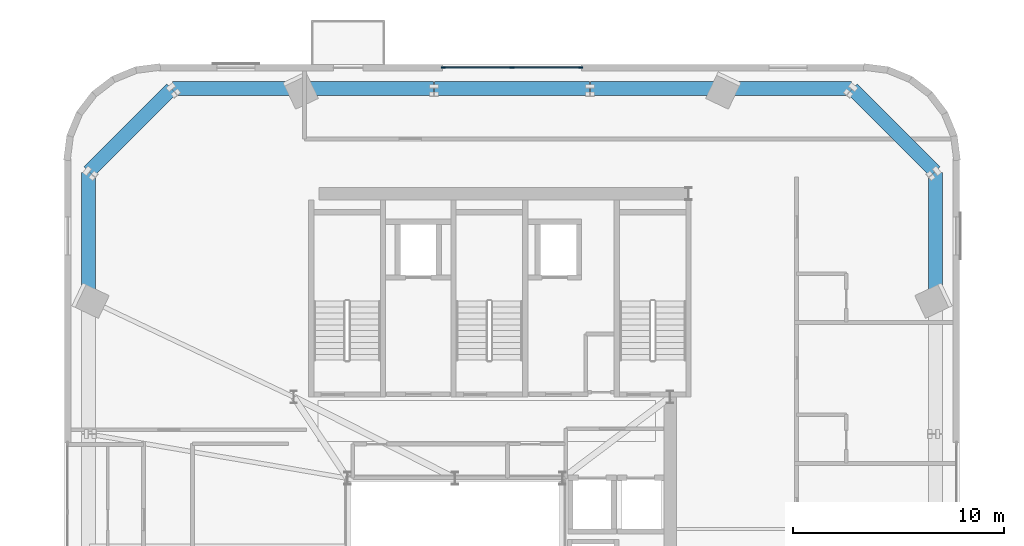
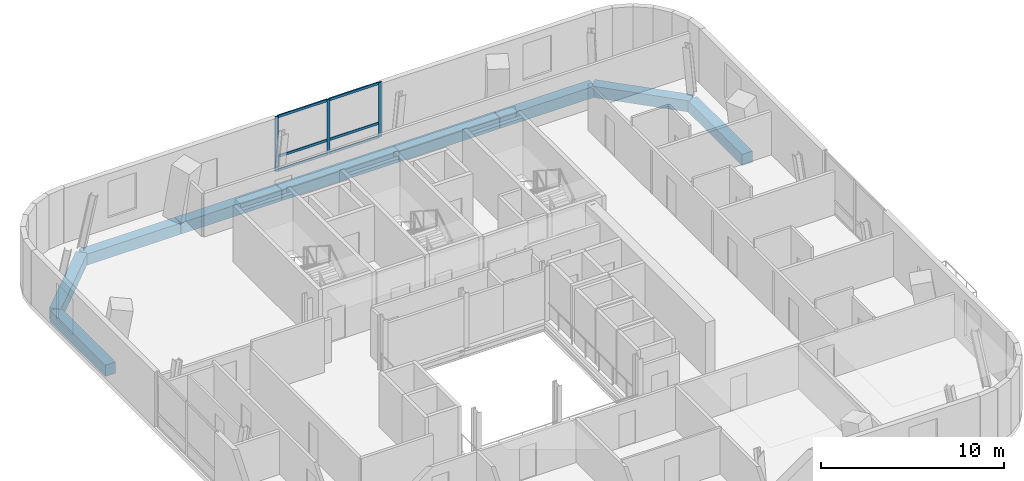
# One storey, part 4 of 14: 9 beams, 9 members, 1 element without a shape of its own.
"""IFC4 building model written with IfcOpenShell, lengths in metres."""

from ifc_helpers import new_model, si_unit, direction, frame, origin, origin_2d, place, context, subcontext, project, spatial, rectangle, extrude, source, transform, mapped, material, material_profile, profile_set, type_object, element, aggregate, save


model = new_model("IFC4")

# Units and contexts
model_context = context("Model", 3, precision=1e-05, world=origin(), true_north=direction((0.0, 1.0)))
body_context = subcontext(model_context, "Body", "Model", "MODEL_VIEW")
ifc_project = project(units=[si_unit("LENGTHUNIT", "METRE"), si_unit("AREAUNIT", "SQUARE_METRE"), si_unit("VOLUMEUNIT", "CUBIC_METRE"), si_unit("PLANEANGLEUNIT", "RADIAN"), si_unit("MASSUNIT", "GRAM", prefix="KILO")], contexts=[model_context])

# Site, building, storey
site_placement = place(None, origin())
site = spatial("IfcSite", under=ifc_project, at=site_placement, CompositionType="ELEMENT")
building_placement = place(site_placement, origin())
building = spatial("IfcBuilding", under=site, at=building_placement, Name="Vardaveli Station Tower", CompositionType="ELEMENT")
storey_placement = place(building_placement, frame((0.0, 0.0, 270.35009765625)))
storey = spatial("IfcBuildingStorey", under=building, at=storey_placement, Name="L69", CompositionType="ELEMENT", Elevation=270.35009765625)

# Beams
ifc_material_1 = material(Name="Precast concrete C45/55", Category="concrete")
ifc_material_profile_1 = material_profile(ifc_material_1, rectangle(XDim=0.64990234375, YDim=0.75, at=origin_2d()), Name="LPB 650x750")
ifc_profile_set_1 = profile_set([ifc_material_profile_1], Name="Precast concrete C45/55")
beam_type = type_object("IfcBeamType", Name="BM-LPB-750", PredefinedType="BEAM", material=ifc_profile_set_1)
shared_shape_1 = source(origin(), body_context, "Body", "SweptSolid", [
    extrude(rectangle(XDim=0.64990234375, YDim=0.75, at=origin_2d()), origin(), (0.0, 0.0, 1.0), 7.35986328125),
])
beam_placement = place(storey_placement, frame((42.679931640625, 45.2900390625, -0.675048828125), z_axis=(-1.0, 0.0, 0.0), x_axis=(0.0, -1.0, 0.0)))
element("IfcBeam", 1, at=beam_placement, inside=storey, type_object=beam_type, Name="RBM-L69-14", PredefinedType="BEAM", context=body_context, shape_type="MappedRepresentation", body=[
    mapped(shared_shape_1, transform((0.0, 0.0, 0.0), scale=1.0)),
])
shared_shape_2 = source(origin(), body_context, "Body", "SweptSolid", [
    extrude(rectangle(XDim=0.64990234375, YDim=0.75, at=origin_2d()), origin(), (0.0, 0.0, 1.0), 6.328125),
])
for number, where, z_axis, x_axis, name in (
    (2, (49.048095703125, 45.2900390625, -0.675048828125), (-1.0, 0.0, 0.0), (0.0, -1.0, 0.0), "RBM-L69-13"),
    (3, (35.280029296875, 45.2900390625, -0.675048828125), (-1.0, 0.0, 0.0), (0.0, -1.0, 0.0), "RBM-L69-15"),
):
    element("IfcBeam", number, at=place(storey_placement, frame(where, z_axis=z_axis, x_axis=x_axis)), inside=storey, type_object=beam_type, Name=name, PredefinedType="BEAM", context=body_context, shape_type="MappedRepresentation", body=[
        mapped(shared_shape_2, transform((0.0, 0.0, 0.0), scale=1.0)),
    ])
shared_shape_3 = source(origin(), body_context, "Body", "SweptSolid", [
    extrude(rectangle(XDim=0.64990234375, YDim=0.75, at=origin_2d()), origin(), (0.0, 0.0, 1.0), 6.022216796875),
])
for number, where, z_axis, x_axis, name in (
    (4, (55.110107421875, 45.2900390625, -0.675048828125), (-1.0, 0.0, 0.0), (0.0, -1.0, 0.0), "RBM-L69-12"),
    (5, (28.912109375, 45.2900390625, -0.675048828125), (-1.0, 0.0, 0.0), (0.0, -1.0, 0.0), "RBM-L69-16"),
):
    element("IfcBeam", number, at=place(storey_placement, frame(where, z_axis=z_axis, x_axis=x_axis)), inside=storey, type_object=beam_type, Name=name, PredefinedType="BEAM", context=body_context, shape_type="MappedRepresentation", body=[
        mapped(shared_shape_3, transform((0.0, 0.0, 0.0), scale=1.0)),
    ])
shared_shape_4 = source(origin(), body_context, "Body", "SweptSolid", [
    extrude(rectangle(XDim=0.64990234375, YDim=0.75, at=origin_2d()), origin(), (0.0, 0.0, 1.0), 6.02197265625),
])
for number, where, z_axis, x_axis, name in (
    (6, (59.090087890625, 35.2880859375, -0.675048828125), (0.0, 1.0, 0.0), (-1.0, 0.0, 0.0), "RBM-L69-10"),
    (7, (18.909912109375, 41.31005859375, -0.675048828125), (0.0, -1.0, 0.0), (1.0, 0.0, 0.0), "RBM-L69-18"),
):
    element("IfcBeam", number, at=place(storey_placement, frame(where, z_axis=z_axis, x_axis=x_axis)), inside=storey, type_object=beam_type, Name=name, PredefinedType="BEAM", context=body_context, shape_type="MappedRepresentation", body=[
        mapped(shared_shape_4, transform((0.0, 0.0, 0.0), scale=1.0)),
    ])
shared_shape_5 = source(origin(), body_context, "Body", "SweptSolid", [
    extrude(rectangle(XDim=0.64990234375, YDim=0.75, at=origin_2d()), origin(), (0.0, 0.0, 1.0), 5.560302734375),
])
for number, where, z_axis, x_axis, name in (
    (8, (59.075927734375, 41.34423828125, -0.675048828125), (-0.707128734548, 0.707084827144, 0.0), (-0.707084827144, -0.707128734548, 0.0), "RBM-L69-11"),
    (9, (22.85595703125, 45.27587890625, -0.675048828125), (-0.707128734548, -0.707084827144, 0.0), (0.707084827144, -0.707128734548, 0.0), "RBM-L69-17"),
):
    element("IfcBeam", number, at=place(storey_placement, frame(where, z_axis=z_axis, x_axis=x_axis)), inside=storey, type_object=beam_type, Name=name, PredefinedType="BEAM", context=body_context, shape_type="MappedRepresentation", body=[
        mapped(shared_shape_5, transform((0.0, 0.0, 0.0), scale=1.0)),
    ])

# Curtain wall, members
ifc_material_2 = material(Name="Travertine stone and solar-control glass", Category="masonry")
curtain_wall_type = type_object("IfcCurtainWallType", Name="CW-SYS-5", PredefinedType="NOTDEFINED", material=ifc_material_2)
curtain_wall_placement = place(storey_placement, origin())
curtain_wall = element("IfcCurtainWall", 10, at=curtain_wall_placement, inside=storey, type_object=curtain_wall_type, Name="CW-L69-N", PredefinedType="NOTDEFINED")
ifc_material_3 = material(Name="Anodised aluminium alloy 6063-T6", Category="aluminium")
ifc_material_profile_2 = material_profile(ifc_material_3, rectangle(XDim=0.080078125, YDim=0.1650390625, at=origin_2d()), Name="CWT 80x165")
ifc_profile_set_2 = profile_set([ifc_material_profile_2], Name="Anodised aluminium alloy 6063-T6")
member_type_1 = type_object("IfcMemberType", Name="CW-SYS-5-TRAN", PredefinedType="NOTDEFINED", material=ifc_profile_set_2)
shared_shape_6 = source(origin(), body_context, "Body", "SweptSolid", [
    extrude(rectangle(XDim=0.080078125, YDim=0.1650390625, at=origin_2d()), origin(), (0.0, 0.0, 1.0), 3.179931640625),
])
member_1_placement = place(storey_placement, frame((42.219970703125, 46.280029296875, 0.039794921875), z_axis=(-1.0, 0.0, 0.0), x_axis=(0.0, -1.0, 0.0)))
member_1 = element("IfcMember", 11, at=member_1_placement, type_object=member_type_1, Name="CW-5 transom 1.1", ObjectType="TRANSOM", PredefinedType="USERDEFINED", context=body_context, shape_type="MappedRepresentation", body=[
    mapped(shared_shape_6, transform((0.0, 0.0, 0.0), scale=1.0)),
])
member_2_placement = place(storey_placement, frame((42.219970703125, 46.280029296875, 0.949951171875), z_axis=(-1.0, 0.0, 0.0), x_axis=(0.0, -1.0, 0.0)))
member_2 = element("IfcMember", 12, at=member_2_placement, type_object=member_type_1, Name="CW-5 transom 1.2", ObjectType="TRANSOM", PredefinedType="USERDEFINED", context=body_context, shape_type="MappedRepresentation", body=[
    mapped(shared_shape_6, transform((0.0, 0.0, 0.0), scale=1.0)),
])
member_3_placement = place(storey_placement, frame((42.219970703125, 46.280029296875, 3.60986328125), z_axis=(-1.0, 0.0, 0.0), x_axis=(0.0, -1.0, 0.0)))
member_3 = element("IfcMember", 13, at=member_3_placement, type_object=member_type_1, Name="CW-5 transom 1.3", ObjectType="TRANSOM", PredefinedType="USERDEFINED", context=body_context, shape_type="MappedRepresentation", body=[
    mapped(shared_shape_6, transform((0.0, 0.0, 0.0), scale=1.0)),
])
member_4_placement = place(storey_placement, frame((38.9599609375, 46.280029296875, 0.039794921875), z_axis=(-1.0, 0.0, 0.0), x_axis=(0.0, -1.0, 0.0)))
member_4 = element("IfcMember", 14, at=member_4_placement, type_object=member_type_1, Name="CW-5 transom 2.1", ObjectType="TRANSOM", PredefinedType="USERDEFINED", context=body_context, shape_type="MappedRepresentation", body=[
    mapped(shared_shape_6, transform((0.0, 0.0, 0.0), scale=1.0)),
])
member_5_placement = place(storey_placement, frame((38.9599609375, 46.280029296875, 0.949951171875), z_axis=(-1.0, 0.0, 0.0), x_axis=(0.0, -1.0, 0.0)))
member_5 = element("IfcMember", 15, at=member_5_placement, type_object=member_type_1, Name="CW-5 transom 2.2", ObjectType="TRANSOM", PredefinedType="USERDEFINED", context=body_context, shape_type="MappedRepresentation", body=[
    mapped(shared_shape_6, transform((0.0, 0.0, 0.0), scale=1.0)),
])
member_6_placement = place(storey_placement, frame((38.9599609375, 46.280029296875, 3.60986328125), z_axis=(-1.0, 0.0, 0.0), x_axis=(0.0, -1.0, 0.0)))
member_6 = element("IfcMember", 16, at=member_6_placement, type_object=member_type_1, Name="CW-5 transom 2.3", ObjectType="TRANSOM", PredefinedType="USERDEFINED", context=body_context, shape_type="MappedRepresentation", body=[
    mapped(shared_shape_6, transform((0.0, 0.0, 0.0), scale=1.0)),
])
ifc_material_profile_3 = material_profile(ifc_material_3, rectangle(XDim=0.080078125, YDim=0.205078125, at=origin_2d()), Name="CWM 80x205")
ifc_profile_set_3 = profile_set([ifc_material_profile_3], Name="Anodised aluminium alloy 6063-T6")
member_type_2 = type_object("IfcMemberType", Name="CW-SYS-5-MULL", PredefinedType="MULLION", material=ifc_profile_set_3)
shared_shape_7 = source(origin(), body_context, "Body", "SweptSolid", [
    extrude(rectangle(XDim=0.080078125, YDim=0.205078125, at=origin_2d()), origin(), (0.0, 0.0, 1.0), 3.64990234375),
])
member_7_placement = place(storey_placement, frame((42.260009765625, 46.280029296875, 0.0), z_axis=(0.0, 0.0, 1.0), x_axis=(0.0, -1.0, 0.0)))
member_7 = element("IfcMember", 17, at=member_7_placement, type_object=member_type_2, Name="CW-5 mullion 1", PredefinedType="MULLION", context=body_context, shape_type="MappedRepresentation", body=[
    mapped(shared_shape_7, transform((0.0, 0.0, 0.0), scale=1.0)),
])
member_8_placement = place(storey_placement, frame((39.0, 46.280029296875, 0.0), z_axis=(0.0, 0.0, 1.0), x_axis=(0.0, -1.0, 0.0)))
member_8 = element("IfcMember", 18, at=member_8_placement, type_object=member_type_2, Name="CW-5 mullion 2", PredefinedType="MULLION", context=body_context, shape_type="MappedRepresentation", body=[
    mapped(shared_shape_7, transform((0.0, 0.0, 0.0), scale=1.0)),
])
member_9_placement = place(storey_placement, frame((35.739990234375, 46.280029296875, 0.0), z_axis=(0.0, 0.0, 1.0), x_axis=(0.0, -1.0, 0.0)))
member_9 = element("IfcMember", 19, at=member_9_placement, type_object=member_type_2, Name="CW-5 mullion 3", PredefinedType="MULLION", context=body_context, shape_type="MappedRepresentation", body=[
    mapped(shared_shape_7, transform((0.0, 0.0, 0.0), scale=1.0)),
])
aggregate(curtain_wall, [member_7, member_8, member_9, member_1, member_2, member_3, member_4, member_5, member_6])

save(model, "model.ifc")
